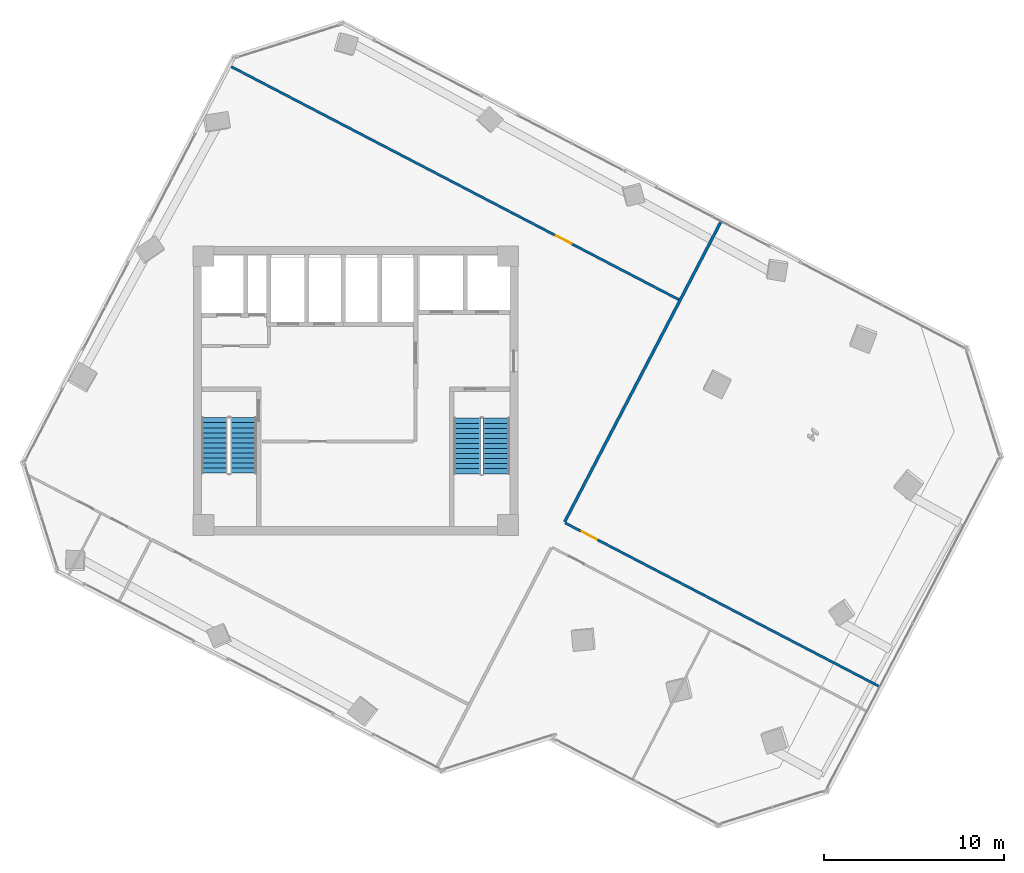
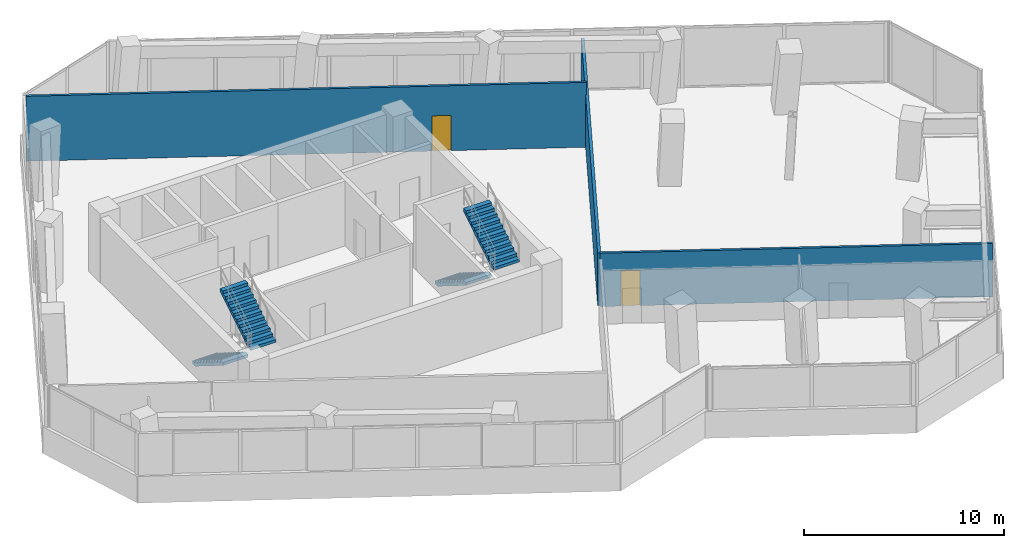
# One storey, part 18 of 22: 4 stair flights, 3 walls, 2 doors, 2 openings, 2 elements without a shape of their own.
"""IFC4 building model written with IfcOpenShell, lengths in metres."""

from ifc_helpers import new_model, si_unit, direction, frame, frame_2d, origin, place, context, subcontext, project, spatial, polyline, rectangle, outline, extrude, source, transform, mapped, material, layer, layer_set, type_object, element, fill, aggregate, save


model = new_model("IFC4")

# Units and contexts
model_context = context("Model", 3, precision=1e-05, world=origin(), true_north=direction((0.0, 1.0)))
body_context = subcontext(model_context, "Body", "Model", "MODEL_VIEW")
ifc_project = project(units=[si_unit("LENGTHUNIT", "METRE"), si_unit("AREAUNIT", "SQUARE_METRE"), si_unit("VOLUMEUNIT", "CUBIC_METRE"), si_unit("PLANEANGLEUNIT", "RADIAN"), si_unit("MASSUNIT", "GRAM", prefix="KILO")], contexts=[model_context])

# Site, building, storey
site_placement = place(None, origin())
site = spatial("IfcSite", under=ifc_project, at=site_placement, CompositionType="ELEMENT")
building_placement = place(site_placement, origin())
building = spatial("IfcBuilding", under=site, at=building_placement, Name="Torre Montelarca", CompositionType="ELEMENT")
storey_placement = place(building_placement, frame((0.0, 0.0, 170.800048828125)))
storey = spatial("IfcBuildingStorey", under=building, at=storey_placement, Name="L38", CompositionType="ELEMENT", Elevation=170.800048828125)

# Wall
ifc_material_1 = material(Name="Gypsum plasterboard on steel stud", Category="steel")
ifc_layer_1 = layer(ifc_material_1, 0.159912109375, Name="Gypsum plasterboard on steel stud", Category="steel")
ifc_layer_set_1 = layer_set([ifc_layer_1], Name="Gypsum plasterboard on steel stud")
wall_type_1 = type_object("IfcWallType", Name="PW-FIRE-160", PredefinedType="PARTITIONING", material=ifc_layer_set_1)
wall_1_placement = place(storey_placement, frame((29.59326171875, 24.720458984375, 0.0), z_axis=(0.0, 0.0, 1.0), x_axis=(0.461745249096, 0.88701258443, 0.0)))
element("IfcWall", 1, at=wall_1_placement, inside=storey, type_object=wall_type_1, Name="L38 Interior Partition W-L38-ECN", PredefinedType="PARTITIONING", context=body_context, shape_type="SweptSolid", body=[
    extrude(rectangle(XDim=18.739990234375, YDim=0.159912109375, at=frame_2d((9.3701171875, 0.0))), origin(), (0.0, 0.0, 1.0), 3.195068359375),
])

# Wall, opening, door
ifc_layer_2 = layer(ifc_material_1, 0.135009765625, Name="Gypsum plasterboard on steel stud", Category="steel")
ifc_layer_set_2 = layer_set([ifc_layer_2], Name="Gypsum plasterboard on steel stud")
wall_type_2 = type_object("IfcWallType", Name="PW-PART-135", PredefinedType="PARTITIONING", material=ifc_layer_set_2)
wall_2_placement = place(storey_placement, frame((11.103515625, 49.97119140625, 0.0), z_axis=(0.0, 0.0, 1.0), x_axis=(0.887010001249, -0.461750211353, 0.0)))
wall_2 = element("IfcWall", 2, at=wall_2_placement, inside=storey, type_object=wall_type_2, Name="L38 Interior Partition W-L38-NBOT", PredefinedType="PARTITIONING", context=body_context, shape_type="SweptSolid", body=[
    extrude(rectangle(XDim=28.02001953125, YDim=0.135009765625, at=frame_2d((14.010009765625, 0.0))), origin(), (0.0, 0.0, 1.0), 3.9599609375),
])
opening_1_placement = place(wall_2_placement, frame((20.31005859375, 0.0, 0.0)))
opening_1 = element("IfcOpeningElement", 3, at=opening_1_placement, cuts=wall_2, Name="Opening ID-095", PredefinedType="OPENING", context=body_context, shape_type="SweptSolid", body=[
    extrude(rectangle(XDim=0.949951171875, YDim=2.14990234375, at=frame_2d((0.47509765625, 1.074951171875))), frame((0.0, 0.07763671875, 0.0), z_axis=(0.0, -1.0, 0.0), x_axis=(1.0, 0.0, 0.0)), (0.0, 0.0, 1.0), 0.155029296875),
])
ifc_material_2 = material(Name="Hardwood acoustic timber veneer", Category="wood")
door_type = type_object("IfcDoorType", Name="DR-INT-095", OperationType="NOTDEFINED", PredefinedType="DOOR", material=ifc_material_2)
shared_shape = source(origin(), body_context, "Body", "SweptSolid", [
    extrude(rectangle(XDim=0.949951171875, YDim=2.14990234375, at=frame_2d((0.47509765625, 1.074951171875))), frame((0.0, 0.02490234375, 0.0), z_axis=(0.0, -1.0, 0.0), x_axis=(1.0, 0.0, 0.0)), (0.0, 0.0, 1.0), 0.050048828125),
])
door_1_placement = place(opening_1_placement, origin())
door_1 = element("IfcDoor", 4, at=door_1_placement, inside=storey, type_object=door_type, Name="L38 Interior Door 06", OperationType="SINGLE_SWING_LEFT", OverallHeight=2.14990234375, OverallWidth=0.949951171875, PredefinedType="DOOR", context=body_context, shape_type="MappedRepresentation", body=[
    mapped(shared_shape, transform((0.0, 0.0, 0.0), scale=1.0)),
])
fill(opening_1, door_1)

wall_3_placement = place(storey_placement, frame((29.610107421875, 24.66650390625, 0.0), z_axis=(0.0, 0.0, 1.0), x_axis=(0.887013798673, -0.461742916527, 0.0)))
wall_3 = element("IfcWall", 5, at=wall_3_placement, inside=storey, type_object=wall_type_2, Name="L38 Interior Partition W-L38-NE-S", PredefinedType="PARTITIONING", context=body_context, shape_type="SweptSolid", body=[
    extrude(rectangle(XDim=19.639892578125, YDim=0.135009765625, at=frame_2d((9.81982421875, 0.0))), origin(), (0.0, 0.0, 1.0), 3.25244140625),
])
opening_2_placement = place(wall_3_placement, frame((1.050048828125, 0.0, 0.0)))
opening_2 = element("IfcOpeningElement", 6, at=opening_2_placement, cuts=wall_3, Name="Opening ID-095", PredefinedType="OPENING", context=body_context, shape_type="SweptSolid", body=[
    extrude(rectangle(XDim=0.949951171875, YDim=2.14990234375, at=frame_2d((0.47509765625, 1.074951171875))), frame((0.0, 0.07763671875, 0.0), z_axis=(0.0, -1.0, 0.0), x_axis=(1.0, 0.0, 0.0)), (0.0, 0.0, 1.0), 0.155029296875),
])
door_2_placement = place(opening_2_placement, origin())
door_2 = element("IfcDoor", 7, at=door_2_placement, inside=storey, type_object=door_type, Name="L38 Interior Door 07", OperationType="SINGLE_SWING_LEFT", OverallHeight=2.14990234375, OverallWidth=0.949951171875, PredefinedType="DOOR", context=body_context, shape_type="MappedRepresentation", body=[
    mapped(shared_shape, transform((0.0, 0.0, 0.0), scale=1.0)),
])
fill(opening_2, door_2)

# Stair, stair flights
ifc_material_3 = material(Name="Concrete C40/50", Category="concrete")
stair_type_1 = type_object("IfcStairType", Name="ST-CORE-ST1", PredefinedType="HALF_TURN_STAIR", material=ifc_material_3)
stair_1_placement = place(storey_placement, origin())
stair_1 = element("IfcStair", 8, at=stair_1_placement, inside=storey, type_object=stair_type_1, Name="L38 Protected Exit Stair ST1", PredefinedType="HALF_TURN_STAIR")
stair_flight_type_1 = type_object("IfcStairFlightType", Name="SFL-CORE-ST1", PredefinedType="STRAIGHT", material=ifc_material_3)
stair_flight_1_placement = place(storey_placement, frame((10.175048828125, 30.5, 0.0), z_axis=(0.0, 0.0, 1.0), x_axis=(0.0, -1.0, 0.0)))
stair_flight_1 = element("IfcStairFlight", 9, at=stair_flight_1_placement, type_object=stair_flight_type_1, Name="ST1 flight 1", NumberOfRisers=12, NumberOfTreads=11, PredefinedType="STRAIGHT", RiserHeight=0.175, TreadLength=0.28, context=body_context, shape_type="SweptSolid", body=[
    extrude(outline(polyline([(0.0, 0.0), (0.0, 0.175048828125), (0.280029296875, 0.175048828125), (0.280029296875, 0.35009765625), (0.56005859375, 0.35009765625), (0.56005859375, 0.52490234375), (0.840087890625, 0.52490234375), (0.840087890625, 0.699951171875), (1.1201171875, 0.699951171875), (1.1201171875, 0.875), (1.39990234375, 0.875), (1.39990234375, 1.050048828125), (1.679931640625, 1.050048828125), (1.679931640625, 1.22509765625), (1.9599609375, 1.22509765625), (1.9599609375, 1.39990234375), (2.239990234375, 1.39990234375), (2.239990234375, 1.574951171875), (2.52001953125, 1.574951171875), (2.52001953125, 1.75), (2.800048828125, 1.75), (2.800048828125, 1.925048828125), (3.080078125, 1.925048828125), (3.080078125, 2.10009765625), (3.080078125, 1.748291015625), (0.28271484375, 0.0), (0.0, 0.0)])), frame((0.0, 0.72509765625, 0.0), z_axis=(0.0, -1.0, 0.0), x_axis=(1.0, 0.0, 0.0)), (0.0, 0.0, 1.0), 1.449951171875),
])
stair_flight_2_placement = place(storey_placement, frame((11.77490234375, 27.419921875, 2.099853515625), z_axis=(0.0, 0.0, 1.0), x_axis=(0.0, 1.0, 0.0)))
stair_flight_2 = element("IfcStairFlight", 10, at=stair_flight_2_placement, type_object=stair_flight_type_1, Name="ST1 flight 2", NumberOfRisers=12, NumberOfTreads=11, PredefinedType="STRAIGHT", RiserHeight=0.175, TreadLength=0.28, context=body_context, shape_type="SweptSolid", body=[
    extrude(outline(polyline([(0.0, 0.0), (0.0, 0.175048828125), (0.280029296875, 0.175048828125), (0.280029296875, 0.35009765625), (0.56005859375, 0.35009765625), (0.56005859375, 0.52490234375), (0.840087890625, 0.52490234375), (0.840087890625, 0.699951171875), (1.1201171875, 0.699951171875), (1.1201171875, 0.875), (1.39990234375, 0.875), (1.39990234375, 1.050048828125), (1.679931640625, 1.050048828125), (1.679931640625, 1.22509765625), (1.9599609375, 1.22509765625), (1.9599609375, 1.39990234375), (2.239990234375, 1.39990234375), (2.239990234375, 1.574951171875), (2.52001953125, 1.574951171875), (2.52001953125, 1.75), (2.800048828125, 1.75), (2.800048828125, 1.925048828125), (3.080078125, 1.925048828125), (3.080078125, 2.10009765625), (3.080078125, 1.748291015625), (0.28271484375, 0.0), (0.0, 0.0)])), frame((0.0, 0.72509765625, 0.0), z_axis=(0.0, -1.0, 0.0), x_axis=(1.0, 0.0, 0.0)), (0.0, 0.0, 1.0), 1.449951171875),
])
aggregate(stair_1, [stair_flight_1, stair_flight_2])

stair_type_2 = type_object("IfcStairType", Name="ST-CORE-ST2", PredefinedType="HALF_TURN_STAIR", material=ifc_material_3)
stair_2_placement = place(storey_placement, origin())
stair_2 = element("IfcStair", 11, at=stair_2_placement, inside=storey, type_object=stair_type_2, Name="L38 Protected Exit Stair ST2", PredefinedType="HALF_TURN_STAIR")
stair_flight_type_2 = type_object("IfcStairFlightType", Name="SFL-CORE-ST2", PredefinedType="STRAIGHT", material=ifc_material_3)
stair_flight_3_placement = place(storey_placement, frame((24.179931640625, 30.469970703125, 0.0), z_axis=(0.0, 0.0, 1.0), x_axis=(0.0, -1.0, 0.0)))
stair_flight_3 = element("IfcStairFlight", 12, at=stair_flight_3_placement, type_object=stair_flight_type_2, Name="ST2 flight 1", NumberOfRisers=12, NumberOfTreads=11, PredefinedType="STRAIGHT", RiserHeight=0.175, TreadLength=0.28, context=body_context, shape_type="SweptSolid", body=[
    extrude(outline(polyline([(0.0, 0.0), (0.0, 0.175048828125), (0.280029296875, 0.175048828125), (0.280029296875, 0.35009765625), (0.56005859375, 0.35009765625), (0.56005859375, 0.52490234375), (0.840087890625, 0.52490234375), (0.840087890625, 0.699951171875), (1.1201171875, 0.699951171875), (1.1201171875, 0.875), (1.39990234375, 0.875), (1.39990234375, 1.050048828125), (1.679931640625, 1.050048828125), (1.679931640625, 1.22509765625), (1.9599609375, 1.22509765625), (1.9599609375, 1.39990234375), (2.239990234375, 1.39990234375), (2.239990234375, 1.574951171875), (2.52001953125, 1.574951171875), (2.52001953125, 1.75), (2.800048828125, 1.75), (2.800048828125, 1.925048828125), (3.080078125, 1.925048828125), (3.080078125, 2.10009765625), (3.080078125, 1.748291015625), (0.28271484375, 0.0), (0.0, 0.0)])), frame((0.0, 0.739990234375, 0.0), z_axis=(0.0, -1.0, 0.0), x_axis=(1.0, 0.0, 0.0)), (0.0, 0.0, 1.0), 1.47998046875),
])
stair_flight_4_placement = place(storey_placement, frame((25.81005859375, 27.389892578125, 2.099853515625), z_axis=(0.0, 0.0, 1.0), x_axis=(0.0, 1.0, 0.0)))
stair_flight_4 = element("IfcStairFlight", 13, at=stair_flight_4_placement, type_object=stair_flight_type_2, Name="ST2 flight 2", NumberOfRisers=12, NumberOfTreads=11, PredefinedType="STRAIGHT", RiserHeight=0.175, TreadLength=0.28, context=body_context, shape_type="SweptSolid", body=[
    extrude(outline(polyline([(0.0, 0.0), (0.0, 0.175048828125), (0.280029296875, 0.175048828125), (0.280029296875, 0.35009765625), (0.56005859375, 0.35009765625), (0.56005859375, 0.52490234375), (0.840087890625, 0.52490234375), (0.840087890625, 0.699951171875), (1.1201171875, 0.699951171875), (1.1201171875, 0.875), (1.39990234375, 0.875), (1.39990234375, 1.050048828125), (1.679931640625, 1.050048828125), (1.679931640625, 1.22509765625), (1.9599609375, 1.22509765625), (1.9599609375, 1.39990234375), (2.239990234375, 1.39990234375), (2.239990234375, 1.574951171875), (2.52001953125, 1.574951171875), (2.52001953125, 1.75), (2.800048828125, 1.75), (2.800048828125, 1.925048828125), (3.080078125, 1.925048828125), (3.080078125, 2.10009765625), (3.080078125, 1.748291015625), (0.28271484375, 0.0), (0.0, 0.0)])), frame((0.0, 0.739990234375, 0.0), z_axis=(0.0, -1.0, 0.0), x_axis=(1.0, 0.0, 0.0)), (0.0, 0.0, 1.0), 1.47998046875),
])
aggregate(stair_2, [stair_flight_3, stair_flight_4])

save(model, "model.ifc")
